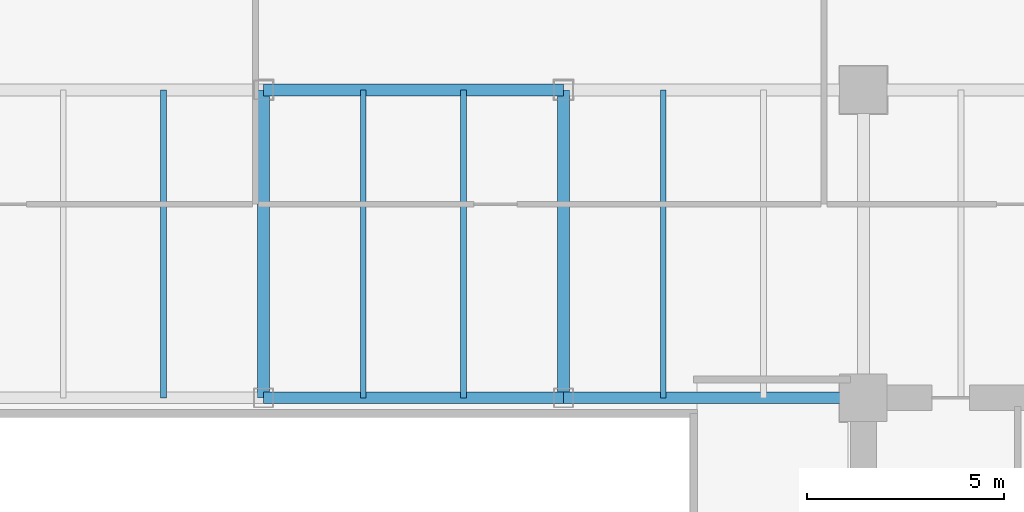
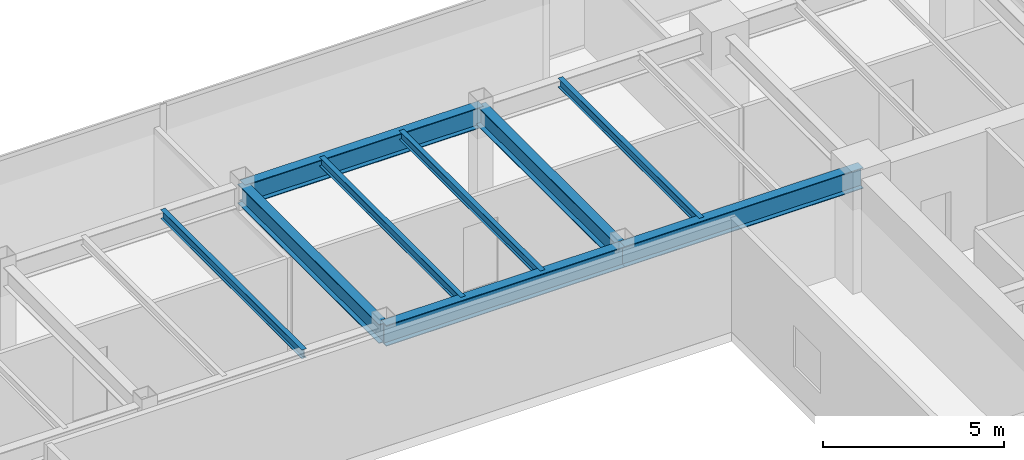
# One storey, part 17 of 33: 9 beams.
"""IFC4 building model written with IfcOpenShell, lengths in metres."""

from ifc_helpers import new_model, si_unit, direction, frame, origin, origin_2d, place, context, subcontext, project, spatial, i_section, extrude, source, transform, mapped, material, material_profile, profile_set, type_object, type_shapes, element, save


model = new_model("IFC4")

# Units and contexts
model_context = context("Model", 3, precision=1e-05, world=origin(), true_north=direction((0.0, 1.0)))
body_context = subcontext(model_context, "Body", "Model", "MODEL_VIEW")
ifc_project = project(units=[si_unit("LENGTHUNIT", "METRE"), si_unit("AREAUNIT", "SQUARE_METRE"), si_unit("VOLUMEUNIT", "CUBIC_METRE"), si_unit("PLANEANGLEUNIT", "RADIAN"), si_unit("MASSUNIT", "GRAM", prefix="KILO")], contexts=[model_context])

# Site, building, storey
site_placement = place(None, origin())
site = spatial("IfcSite", under=ifc_project, at=site_placement, CompositionType="ELEMENT")
building_placement = place(site_placement, origin())
building = spatial("IfcBuilding", under=site, at=building_placement, Name="Haelvirn Gate Laboratories", CompositionType="ELEMENT")
storey_placement = place(building_placement, frame((0.0, 0.0, 133.800048828125)))
storey = spatial("IfcBuildingStorey", under=building, at=storey_placement, Name="L32", CompositionType="ELEMENT", Elevation=133.800048828125)

# Beams
ifc_material = material(Name="Steel SM355", Category="steel")
ifc_material_profile_1 = material_profile(ifc_material, i_section(OverallWidth=0.300048828125, OverallDepth=0.64990234375, WebThickness=0.012939453125, FlangeThickness=0.02197265625, at=origin_2d()), Name="H-650x300x13x22")
ifc_profile_set_1 = profile_set([ifc_material_profile_1], Name="Steel SM355")
beam_type_1 = type_object("IfcBeamType", Name="BM-G-650", PredefinedType="BEAM", material=ifc_profile_set_1)
shared_shape_1 = source(origin(), body_context, "Body", "SweptSolid", [
    extrude(i_section(OverallWidth=0.300048828125, OverallDepth=0.64990234375, WebThickness=0.012939453125, FlangeThickness=0.02197265625, at=origin_2d()), origin(), (0.0, 0.0, 1.0), 7.800048828125),
])
type_shapes(beam_type_1, [shared_shape_1])
for number, where, z_axis, x_axis, name in (
    (1, (37.39990234375, 33.800048828125, 3.46484375), (0.0, 1.0, 0.0), (-1.0, 0.0, 0.0), "L32 Frame Girder X37.4 (33.8-41.6)"),
    (2, (45.0, 33.800048828125, 3.46484375), (0.0, 1.0, 0.0), (-1.0, 0.0, 0.0), "L32 Frame Girder X45.0 (33.8-41.6)"),
):
    element("IfcBeam", number, at=place(storey_placement, frame(where, z_axis=z_axis, x_axis=x_axis)), inside=storey, type_object=beam_type_1, Name=name, PredefinedType="BEAM", context=body_context, shape_type="MappedRepresentation", body=[
        mapped(shared_shape_1, transform((0.0, 0.0, 0.0), scale=1.0)),
    ])
ifc_material_profile_2 = material_profile(ifc_material, i_section(OverallWidth=0.300048828125, OverallDepth=0.699951171875, WebThickness=0.012939453125, FlangeThickness=0.02392578125, at=origin_2d()), Name="H-700x300x13x24")
ifc_profile_set_2 = profile_set([ifc_material_profile_2], Name="Steel SM355")
beam_type_2 = type_object("IfcBeamType", Name="BM-G-700", PredefinedType="BEAM", material=ifc_profile_set_2)
shared_shape_2 = source(origin(), body_context, "Body", "SweptSolid", [
    extrude(i_section(OverallWidth=0.300048828125, OverallDepth=0.699951171875, WebThickness=0.012939453125, FlangeThickness=0.02392578125, at=origin_2d()), origin(), (0.0, 0.0, 1.0), 7.60009765625),
])
type_shapes(beam_type_2, [shared_shape_2])
for number, where, z_axis, x_axis, name in (
    (3, (37.39990234375, 33.800048828125, 3.43994140625), (1.0, 0.0, 0.0), (0.0, 1.0, 0.0), "L32 Primary Girder Y33.8 (37.4-45.0)"),
    (4, (45.0, 33.800048828125, 3.43994140625), (1.0, 0.0, 0.0), (0.0, 1.0, 0.0), "L32 Primary Girder Y33.8 (45.0-52.6)"),
    (5, (37.39990234375, 41.60009765625, 3.43994140625), (1.0, 0.0, 0.0), (0.0, 1.0, 0.0), "L32 Primary Girder Y41.6 (37.4-45.0)"),
):
    element("IfcBeam", number, at=place(storey_placement, frame(where, z_axis=z_axis, x_axis=x_axis)), inside=storey, type_object=beam_type_2, Name=name, PredefinedType="BEAM", context=body_context, shape_type="MappedRepresentation", body=[
        mapped(shared_shape_2, transform((0.0, 0.0, 0.0), scale=1.0)),
    ])
ifc_material_profile_3 = material_profile(ifc_material, i_section(OverallWidth=0.14990234375, OverallDepth=0.300048828125, WebThickness=0.006591796875, FlangeThickness=0.009033203125, at=origin_2d()), Name="H-300x150x6.5x9")
ifc_profile_set_3 = profile_set([ifc_material_profile_3], Name="Steel SM355")
beam_type_3 = type_object("IfcBeamType", Name="BM-J-300", PredefinedType="JOIST", material=ifc_profile_set_3)
shared_shape_3 = source(origin(), body_context, "Body", "SweptSolid", [
    extrude(i_section(OverallWidth=0.14990234375, OverallDepth=0.300048828125, WebThickness=0.006591796875, FlangeThickness=0.009033203125, at=origin_2d()), origin(), (0.0, 0.0, 1.0), 7.800048828125),
])
type_shapes(beam_type_3, [shared_shape_3])
for number, where, z_axis, x_axis, name in (
    (6, (34.8701171875, 33.800048828125, 3.639892578125), (0.0, 1.0, 0.0), (-1.0, 0.0, 0.0), "L32 Composite Lab Joist North X34.87"),
    (7, (39.929931640625, 33.800048828125, 3.639892578125), (0.0, 1.0, 0.0), (-1.0, 0.0, 0.0), "L32 Composite Lab Joist North X39.93"),
    (8, (42.469970703125, 33.800048828125, 3.639892578125), (0.0, 1.0, 0.0), (-1.0, 0.0, 0.0), "L32 Composite Lab Joist North X42.47"),
    (9, (47.530029296875, 33.800048828125, 3.639892578125), (0.0, 1.0, 0.0), (-1.0, 0.0, 0.0), "L32 Composite Lab Joist North X47.53"),
):
    element("IfcBeam", number, at=place(storey_placement, frame(where, z_axis=z_axis, x_axis=x_axis)), inside=storey, type_object=beam_type_3, Name=name, PredefinedType="JOIST", context=body_context, shape_type="MappedRepresentation", body=[
        mapped(shared_shape_3, transform((0.0, 0.0, 0.0), scale=1.0)),
    ])

save(model, "model.ifc")
